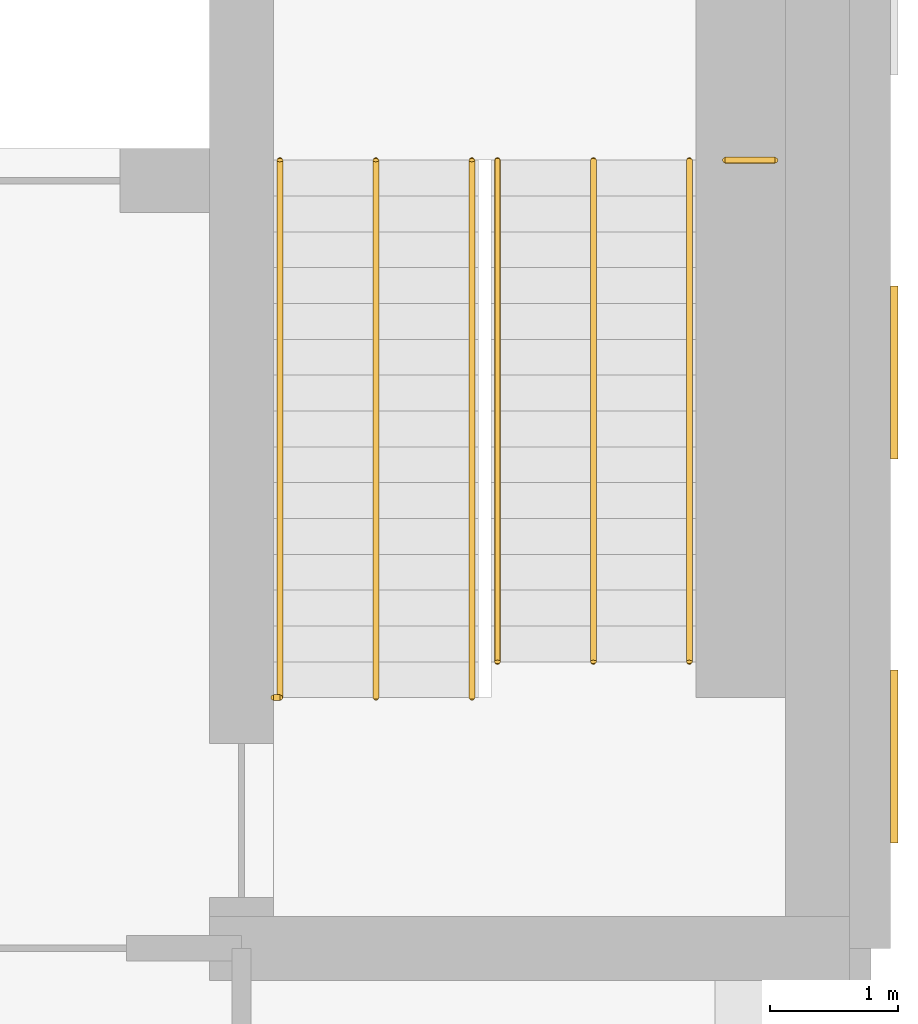
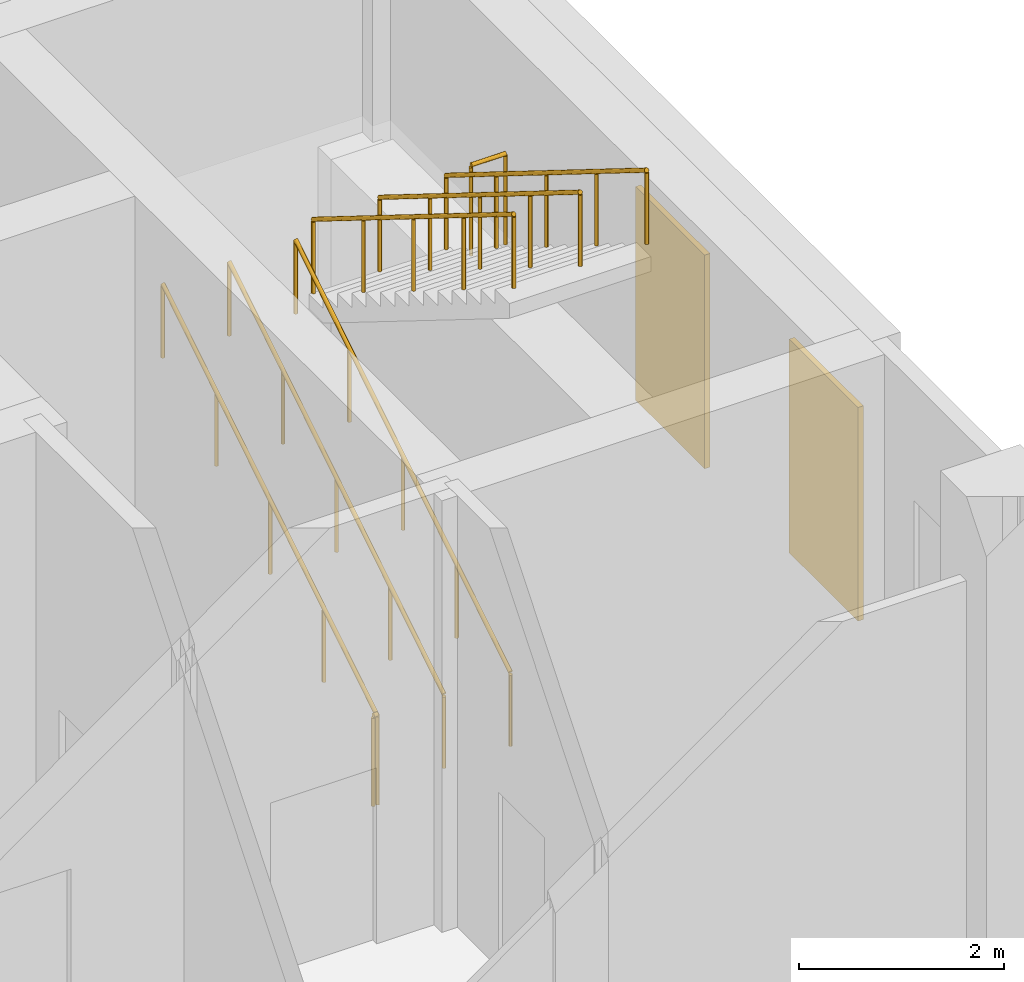
# One storey, part 29 of 33: 8 railings, 2 coverings.
"""IFC4 building model written with IfcOpenShell, lengths in metres."""

from ifc_helpers import new_model, si_unit, direction, frame, origin, origin_2d, place, context, subcontext, project, spatial, rectangle, circle, extrude, material, layer, layer_set, type_object, element, save


model = new_model("IFC4")

# Units and contexts
model_context = context("Model", 3, precision=1e-05, world=origin(), true_north=direction((0.0, 1.0)))
body_context = subcontext(model_context, "Body", "Model", "MODEL_VIEW")
ifc_project = project(units=[si_unit("LENGTHUNIT", "METRE"), si_unit("AREAUNIT", "SQUARE_METRE"), si_unit("VOLUMEUNIT", "CUBIC_METRE"), si_unit("PLANEANGLEUNIT", "RADIAN"), si_unit("MASSUNIT", "GRAM", prefix="KILO")], contexts=[model_context])

# Site, building, storey
site_placement = place(None, origin())
site = spatial("IfcSite", under=ifc_project, at=site_placement, CompositionType="ELEMENT")
building_placement = place(site_placement, origin())
building = spatial("IfcBuilding", under=site, at=building_placement, Name="Aurelan Courthouse", CompositionType="ELEMENT")
storey_placement = place(building_placement, frame((0.0, 0.0, 22.800048828125)))
storey = spatial("IfcBuildingStorey", under=building, at=storey_placement, Name="L04", CompositionType="ELEMENT", Elevation=22.800048828125)

# Coverings
ifc_material_1 = material(Name="Bronze sheet cladding")
ifc_layer = layer(ifc_material_1, 0.06005859375)
ifc_layer_set = layer_set([ifc_layer], Name="Bronze sheet cladding")
covering_type = type_object("IfcCoveringType", Name="Law Library blind bay 1350 x 2550", PredefinedType="CLADDING", material=ifc_layer_set)
for number, where, z_axis, x_axis, name in (
    (1, (90.60009765625, 58.5, 1.19970703125), (0.0, 0.0, 1.0), (1.0, 0.0, 0.0), "Blind bay BB-V3-L04-007"),
    (2, (90.60009765625, 61.5, 1.19970703125), (0.0, 0.0, 1.0), (1.0, 0.0, 0.0), "Blind bay BB-V3-L04-008"),
):
    element("IfcCovering", number, at=place(storey_placement, frame(where, z_axis=z_axis, x_axis=x_axis)), inside=storey, type_object=covering_type, Name=name, PredefinedType="CLADDING", context=body_context, shape_type="SweptSolid", body=[
        extrude(rectangle(XDim=0.06005859375, YDim=1.35009765625, at=origin_2d()), origin(), (0.0, 0.0, 1.0), 2.550048828125),
    ])

# Railings
ifc_material_2 = material(Name="Steel S355", Category="steel")
railing_type_1 = type_object("IfcRailingType", Name="Stair guard 1100", PredefinedType="GUARDRAIL", material=ifc_material_2)
railing_1_placement = place(storey_placement, frame((85.800048828125, 58.9599609375, 0.0)))
element("IfcRailing", 3, at=railing_1_placement, inside=storey, type_object=railing_type_1, Name="Guard ST-3B-L04-H1-C", PredefinedType="GUARDRAIL", context=body_context, shape_type="SweptSolid", body=[
    extrude(circle(Radius=0.02392578125, at=origin_2d()), frame((0.0, 0.0, 1.076171875), z_axis=(-1.0, 0.0, 0.0), x_axis=(0.0, -1.0, 0.0)), (0.0, 0.0, 1.0), 0.050048828125),
    extrude(circle(Radius=0.02099609375, at=origin_2d()), origin(), (0.0, 0.0, 1.0), 1.052001953125),
    extrude(circle(Radius=0.02099609375, at=origin_2d()), frame((-0.050048828125, 0.0, 0.0)), (0.0, 0.0, 1.0), 1.052001953125),
])
railing_2_placement = place(storey_placement, frame((89.669921875, 63.159912109375, 2.787109375)))
element("IfcRailing", 4, at=railing_2_placement, inside=storey, type_object=railing_type_1, Name="Guard ST-3B-L04-GL1", PredefinedType="GUARDRAIL", context=body_context, shape_type="SweptSolid", body=[
    extrude(circle(Radius=0.02392578125, at=origin_2d()), frame((0.0, 0.0, 1.076171875), z_axis=(-1.0, 0.0, 0.0), x_axis=(0.0, -1.0, 0.0)), (0.0, 0.0, 1.0), 0.389892578125),
    extrude(circle(Radius=0.02099609375, at=origin_2d()), origin(), (0.0, 0.0, 1.0), 1.052001953125),
    extrude(circle(Radius=0.02099609375, at=origin_2d()), frame((-0.389892578125, 0.0, 0.0)), (0.0, 0.0, 1.0), 1.052001953125),
])
railing_type_2 = type_object("IfcRailingType", Name="Stair handrail 900", PredefinedType="HANDRAIL", material=ifc_material_2)
for number, where, name in (
    (5, (85.800048828125, 58.9599609375, 0.174072265625), "Handrail ST-3B-L04-H1"),
    (6, (87.300048828125, 58.9599609375, 0.174072265625), "Handrail ST-3B-L04-H2"),
    (7, (86.550048828125, 58.9599609375, 0.174072265625), "Handrail ST-3B-L04-H3"),
):
    element("IfcRailing", number, at=place(storey_placement, frame(where)), inside=storey, type_object=railing_type_2, Name=name, PredefinedType="HANDRAIL", context=body_context, shape_type="SweptSolid", body=[
        extrude(circle(Radius=0.02392578125, at=origin_2d()), frame((0.0, 0.0, 0.8759765625), z_axis=(0.0, 0.849080710111, 0.528263142494), x_axis=(-1.0, 0.0, 0.0)), (0.0, 0.0, 1.0), 4.946533203125),
        extrude(circle(Radius=0.02099609375, at=origin_2d()), origin(), (0.0, 0.0, 1.0), 0.851806640625),
        extrude(circle(Radius=0.02099609375, at=origin_2d()), frame((0.0, 1.050048828125, 0.6533203125)), (0.0, 0.0, 1.0), 0.851806640625),
        extrude(circle(Radius=0.02099609375, at=origin_2d()), frame((0.0, 2.10009765625, 1.306640625)), (0.0, 0.0, 1.0), 0.851806640625),
        extrude(circle(Radius=0.02099609375, at=origin_2d()), frame((0.0, 3.14990234375, 1.959716796875)), (0.0, 0.0, 1.0), 0.851806640625),
        extrude(circle(Radius=0.02099609375, at=origin_2d()), frame((0.0, 4.199951171875, 2.613037109375)), (0.0, 0.0, 1.0), 0.851806640625),
    ])
for number, where, name in (
    (8, (87.5, 63.159912109375, 2.961181640625), "Handrail ST-3B-L04-H4"),
    (9, (89.0, 63.159912109375, 2.961181640625), "Handrail ST-3B-L04-H5"),
    (10, (88.25, 63.159912109375, 2.961181640625), "Handrail ST-3B-L04-H6"),
):
    element("IfcRailing", number, at=place(storey_placement, frame(where)), inside=storey, type_object=railing_type_2, Name=name, PredefinedType="HANDRAIL", context=body_context, shape_type="SweptSolid", body=[
        extrude(circle(Radius=0.02392578125, at=origin_2d()), frame((0.0, 0.0, 0.8759765625), z_axis=(0.0, -0.849089811655, 0.528248513243), x_axis=(1.0, 0.0, 0.0)), (0.0, 0.0, 1.0), 4.61669921875),
        extrude(circle(Radius=0.02099609375, at=origin_2d()), origin(), (0.0, 0.0, 1.0), 0.851806640625),
        extrude(circle(Radius=0.02099609375, at=origin_2d()), frame((0.0, -0.97998046875, 0.609619140625)), (0.0, 0.0, 1.0), 0.851806640625),
        extrude(circle(Radius=0.02099609375, at=origin_2d()), frame((0.0, -1.9599609375, 1.21923828125)), (0.0, 0.0, 1.0), 0.851806640625),
        extrude(circle(Radius=0.02099609375, at=origin_2d()), frame((0.0, -2.93994140625, 1.8291015625)), (0.0, 0.0, 1.0), 0.851806640625),
        extrude(circle(Radius=0.02099609375, at=origin_2d()), frame((0.0, -3.919921875, 2.438720703125)), (0.0, 0.0, 1.0), 0.851806640625),
    ])

save(model, "model.ifc")
